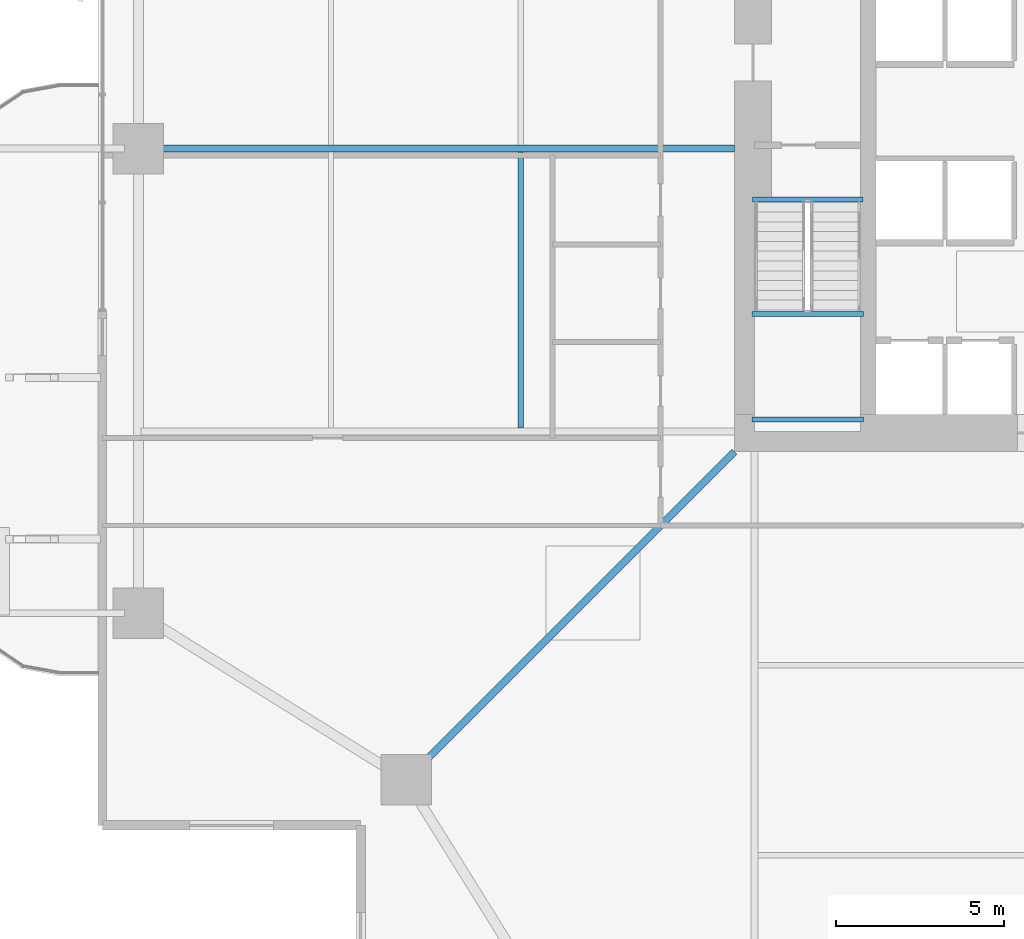
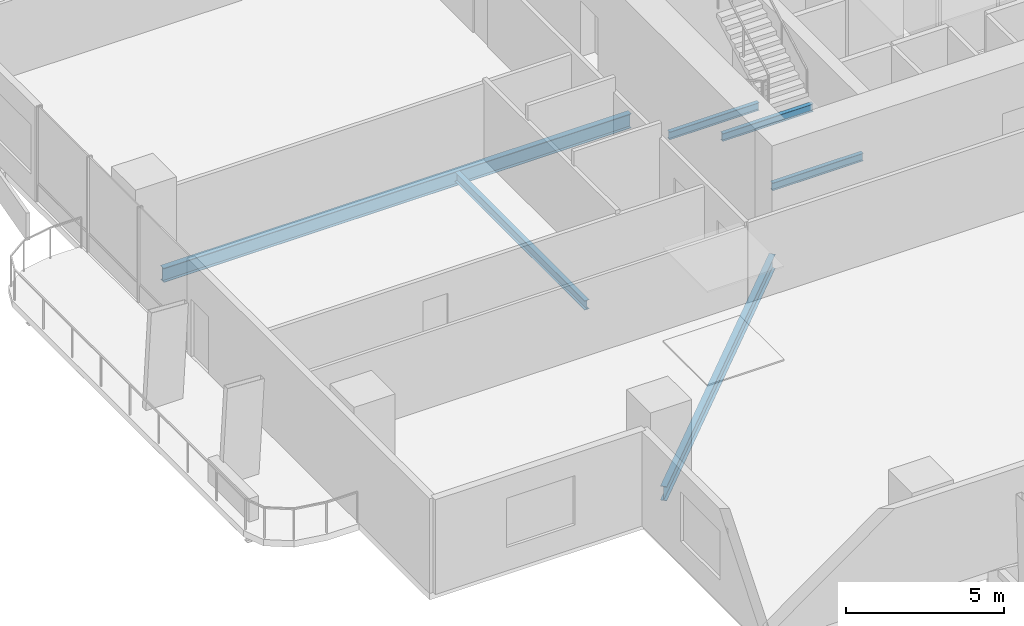
# One storey, part 5 of 23: 6 beams.
"""IFC4 building model written with IfcOpenShell, lengths in metres."""

from ifc_helpers import new_model, si_unit, direction, frame, origin, origin_2d, place, context, subcontext, project, spatial, i_section, extrude, material, material_profile, profile_set, type_object, element, save


model = new_model("IFC4")

# Units and contexts
model_context = context("Model", 3, precision=1e-05, world=origin(), true_north=direction((0.0, 1.0)))
body_context = subcontext(model_context, "Body", "Model", "MODEL_VIEW")
ifc_project = project(units=[si_unit("LENGTHUNIT", "METRE"), si_unit("AREAUNIT", "SQUARE_METRE"), si_unit("VOLUMEUNIT", "CUBIC_METRE"), si_unit("PLANEANGLEUNIT", "RADIAN"), si_unit("MASSUNIT", "GRAM", prefix="KILO")], contexts=[model_context])

# Site, building, storey
site_placement = place(None, origin())
site = spatial("IfcSite", under=ifc_project, at=site_placement, CompositionType="ELEMENT")
building_placement = place(site_placement, origin())
building = spatial("IfcBuilding", under=site, at=building_placement, Name="Belovzor Exchange Tower", CompositionType="ELEMENT")
storey_placement = place(building_placement, frame((0.0, 0.0, 57.300048828125)))
storey = spatial("IfcBuildingStorey", under=building, at=storey_placement, Name="L13", CompositionType="ELEMENT", Elevation=57.300048828125)

# Beams
ifc_material_1 = material(Name="Steel S355", Category="steel")
ifc_material_profile_1 = material_profile(ifc_material_1, i_section(OverallWidth=0.169921875, OverallDepth=0.360107421875, WebThickness=0.008056640625, FlangeThickness=0.0126953125, at=origin_2d()))
ifc_profile_set_1 = profile_set([ifc_material_profile_1], Name="Steel S355")
beam_type_1 = type_object("IfcBeamType", Name="Secondary Infill Floor Joist IPE 360", PredefinedType="BEAM", material=ifc_profile_set_1)
beam_1_placement = place(storey_placement, frame((13.455078125, 20.5048828125, -0.429931640625), z_axis=(0.0, 1.0, 0.0), x_axis=(-1.0, 0.0, 0.0)))
element("IfcBeam", 1, at=beam_1_placement, inside=storey, type_object=beam_type_1, Name="FJ-360 Secondary Infill Floor Joist IPE 360", PredefinedType="BEAM", context=body_context, shape_type="SweptSolid", body=[
    extrude(i_section(OverallWidth=0.169921875, OverallDepth=0.360107421875, WebThickness=0.008056640625, FlangeThickness=0.0126953125, at=origin_2d()), origin(), (0.0, 0.0, 1.0), 8.190185546875),
])
ifc_material_2 = material(Name="Steel S355", Category="steel")
ifc_material_profile_2 = material_profile(ifc_material_2, i_section(OverallWidth=0.14990234375, OverallDepth=0.300048828125, WebThickness=0.007080078125, FlangeThickness=0.0107421875, at=origin_2d()))
ifc_profile_set_2 = profile_set([ifc_material_profile_2], Name="Steel S355")
beam_type_2 = type_object("IfcBeamType", Name="Secondary Trim Floor Joist IPE 300", PredefinedType="BEAM", material=ifc_profile_set_2)
for number, where, z_axis, x_axis, name in (
    (2, (20.320068359375, 23.889892578125, 1.599853515625), (1.0, 0.0, 0.0), (0.0, 1.0, 0.0), "FJ-300 Secondary Trim Floor Joist IPE 300"),
    (3, (20.320068359375, 20.75, 1.599853515625), (1.0, 0.0, 0.0), (0.0, 1.0, 0.0), "FJ-300 Secondary Trim Floor Joist IPE 300"),
):
    element("IfcBeam", number, at=place(storey_placement, frame(where, z_axis=z_axis, x_axis=x_axis)), inside=storey, type_object=beam_type_2, Name=name, PredefinedType="BEAM", context=body_context, shape_type="SweptSolid", body=[
        extrude(i_section(OverallWidth=0.14990234375, OverallDepth=0.300048828125, WebThickness=0.007080078125, FlangeThickness=0.0107421875, at=origin_2d()), origin(), (0.0, 0.0, 1.0), 3.309814453125),
    ])
beam_2_placement = place(storey_placement, frame((20.340087890625, 27.280029296875, -0.400146484375), z_axis=(1.0, 0.0, 0.0), x_axis=(0.0, 1.0, 0.0)))
element("IfcBeam", 4, at=beam_2_placement, inside=storey, type_object=beam_type_2, Name="FJ-300 Secondary Trim Floor Joist IPE 300", PredefinedType="BEAM", context=body_context, shape_type="SweptSolid", body=[
    extrude(i_section(OverallWidth=0.14990234375, OverallDepth=0.300048828125, WebThickness=0.007080078125, FlangeThickness=0.0107421875, at=origin_2d()), origin(), (0.0, 0.0, 1.0), 3.27001953125),
])
ifc_material_3 = material(Name="Steel S355", Category="steel")
ifc_material_profile_3 = material_profile(ifc_material_3, i_section(OverallWidth=0.2099609375, OverallDepth=0.550048828125, WebThickness=0.010986328125, FlangeThickness=0.01708984375, at=origin_2d()))
ifc_profile_set_3 = profile_set([ifc_material_profile_3], Name="Steel S355")
beam_type_3 = type_object("IfcBeamType", Name="Zone 1 Radial Composite Floor Beam IPE 550", PredefinedType="BEAM", material=ifc_profile_set_3)
beam_3_placement = place(storey_placement, frame((19.800048828125, 28.800048828125, -0.525146484375), z_axis=(-1.0, 0.0, 0.0), x_axis=(0.0, -1.0, 0.0)))
element("IfcBeam", 5, at=beam_3_placement, inside=storey, type_object=beam_type_3, Name="FB-550 Zone 1 Radial Composite Floor Beam IPE 550", PredefinedType="BEAM", context=body_context, shape_type="SweptSolid", body=[
    extrude(i_section(OverallWidth=0.2099609375, OverallDepth=0.550048828125, WebThickness=0.010986328125, FlangeThickness=0.01708984375, at=origin_2d()), origin(), (0.0, 0.0, 1.0), 17.0400390625),
])
beam_4_placement = place(storey_placement, frame((19.800048828125, 19.800048828125, -0.525146484375), z_axis=(-0.707106781187, -0.707106781187, 0.0), x_axis=(0.707106781187, -0.707106781187, 0.0)))
element("IfcBeam", 6, at=beam_4_placement, inside=storey, type_object=beam_type_3, Name="FB-550 Zone 1 Radial Composite Floor Beam IPE 550", PredefinedType="BEAM", context=body_context, shape_type="SweptSolid", body=[
    extrude(i_section(OverallWidth=0.2099609375, OverallDepth=0.550048828125, WebThickness=0.010986328125, FlangeThickness=0.01708984375, at=origin_2d()), origin(), (0.0, 0.0, 1.0), 13.25830078125),
])

save(model, "model.ifc")
